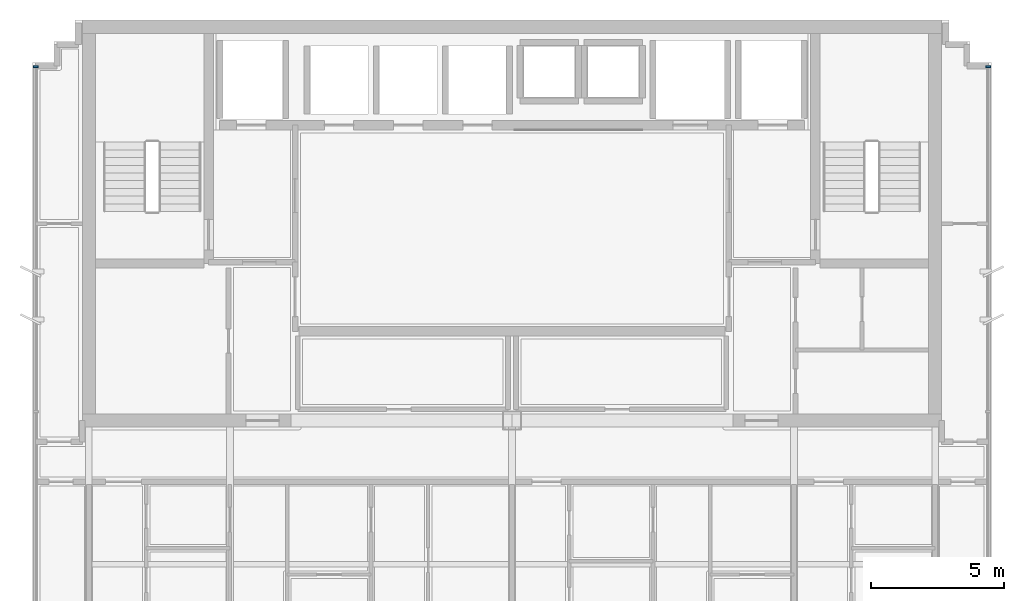
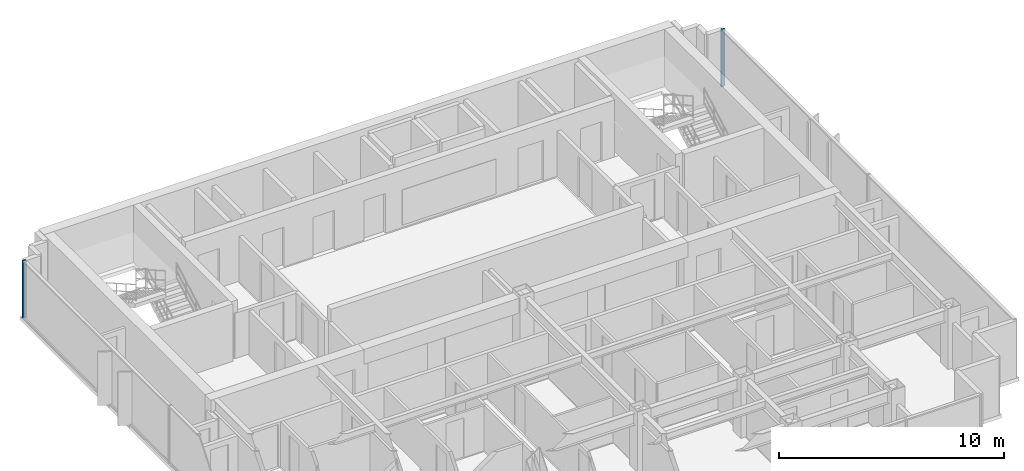
# One storey, part 4 of 11: 2 members, 2 elements without a shape of their own.
"""IFC4 building model written with IfcOpenShell, lengths in metres."""

from ifc_helpers import new_model, si_unit, direction, frame, origin, origin_2d, place, context, subcontext, project, spatial, rectangle, extrude, source, transform, mapped, material, layer, layer_set, material_profile, profile_set, type_object, element, aggregate, save


model = new_model("IFC4")

# Units and contexts
model_context = context("Model", 3, precision=1e-05, world=origin(), true_north=direction((0.0, 1.0)))
body_context = subcontext(model_context, "Body", "Model", "MODEL_VIEW")
ifc_project = project(units=[si_unit("LENGTHUNIT", "METRE"), si_unit("AREAUNIT", "SQUARE_METRE"), si_unit("VOLUMEUNIT", "CUBIC_METRE"), si_unit("PLANEANGLEUNIT", "RADIAN"), si_unit("MASSUNIT", "GRAM", prefix="KILO")], contexts=[model_context])

# Site, building, storey
site_placement = place(None, origin())
site = spatial("IfcSite", under=ifc_project, at=site_placement, CompositionType="ELEMENT")
building_placement = place(site_placement, origin())
building = spatial("IfcBuilding", under=site, at=building_placement, Name="Qianlan Lanfeng Residences", CompositionType="ELEMENT")
storey_placement = place(building_placement, frame((0.0, 0.0, 256.10009765625)))
storey = spatial("IfcBuildingStorey", under=building, at=storey_placement, Name="L71", CompositionType="ELEMENT", Elevation=256.10009765625)

# Curtain wall, member
ifc_material = material(Name="Anodised Bronze Aluminium 6063-T6", Category="aluminium")
ifc_layer = layer(ifc_material, 0.219970703125)
ifc_layer_set = layer_set([ifc_layer], Name="Anodised Bronze Aluminium 6063-T6")
curtain_wall_type = type_object("IfcCurtainWallType", Name="CW-06", PredefinedType="NOTDEFINED", material=ifc_layer_set)
curtain_wall_1_placement = place(storey_placement, origin())
curtain_wall_1 = element("IfcCurtainWall", 1, at=curtain_wall_1_placement, inside=storey, type_object=curtain_wall_type, Name="L71 Unitised Curtain Wall CWR-L71-03 (CW-06)", PredefinedType="NOTDEFINED")
ifc_material_profile = material_profile(ifc_material, rectangle(XDim=0.074951171875, YDim=0.179931640625, at=origin_2d()), Name="ALU MULLION 75x180")
ifc_profile_set = profile_set([ifc_material_profile], Name="Anodised Bronze Aluminium 6063-T6")
member_type = type_object("IfcMemberType", Name="CWM-180", PredefinedType="MULLION", material=ifc_profile_set)
shared_shape = source(origin(), body_context, "Body", "SweptSolid", [
    extrude(rectangle(XDim=0.074951171875, YDim=0.179931640625, at=origin_2d()), origin(), (0.0, 0.0, 1.0), 3.10986328125),
])
member_1_placement = place(storey_placement, frame((44.39990234375, 38.492431640625, 0.0), z_axis=(0.0, 0.0, 1.0), x_axis=(0.0, 1.0, 0.0)))
member_1 = element("IfcMember", 2, at=member_1_placement, type_object=member_type, Name="CWR-L71-03 Mullion 3", PredefinedType="MULLION", context=body_context, shape_type="MappedRepresentation", body=[
    mapped(shared_shape, transform((0.0, 0.0, 0.0), scale=1.0)),
])
aggregate(curtain_wall_1, [member_1])

curtain_wall_2_placement = place(storey_placement, origin())
curtain_wall_2 = element("IfcCurtainWall", 3, at=curtain_wall_2_placement, inside=storey, type_object=curtain_wall_type, Name="L71 Unitised Curtain Wall CWR-L71-04 (CW-06)", PredefinedType="NOTDEFINED")
member_2_placement = place(storey_placement, frame((8.60009765625, 38.492431640625, 0.0), z_axis=(0.0, 0.0, 1.0), x_axis=(0.0, -1.0, 0.0)))
member_2 = element("IfcMember", 4, at=member_2_placement, type_object=member_type, Name="CWR-L71-04 Mullion 1", PredefinedType="MULLION", context=body_context, shape_type="MappedRepresentation", body=[
    mapped(shared_shape, transform((0.0, 0.0, 0.0), scale=1.0)),
])
aggregate(curtain_wall_2, [member_2])

save(model, "model.ifc")
